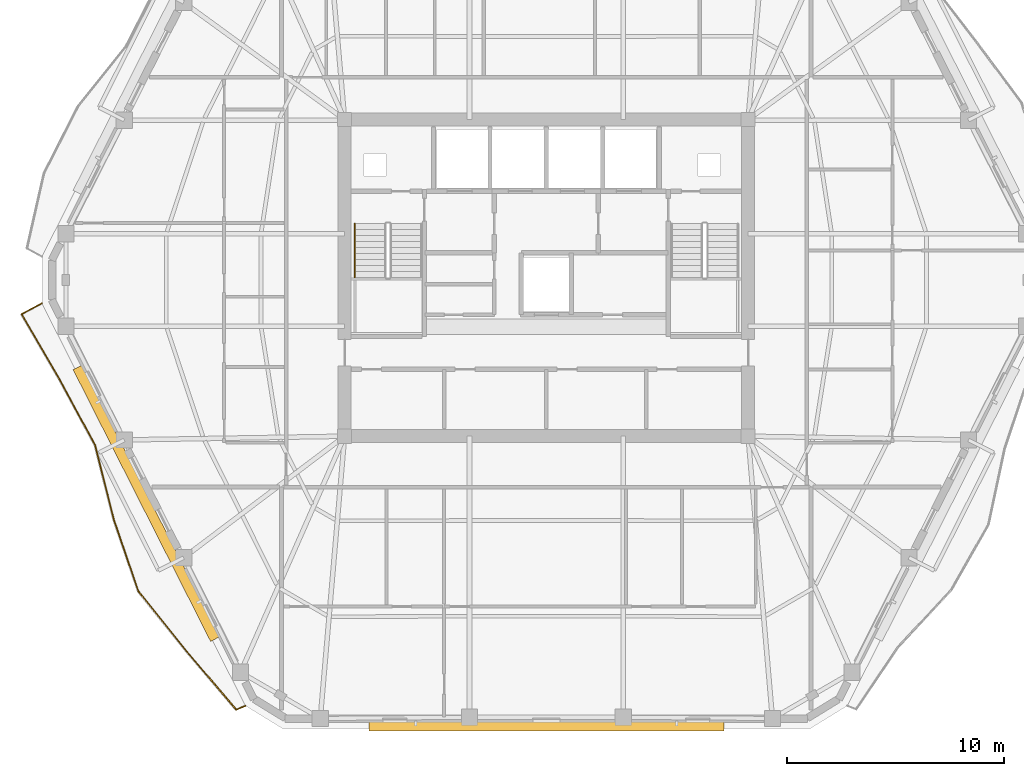
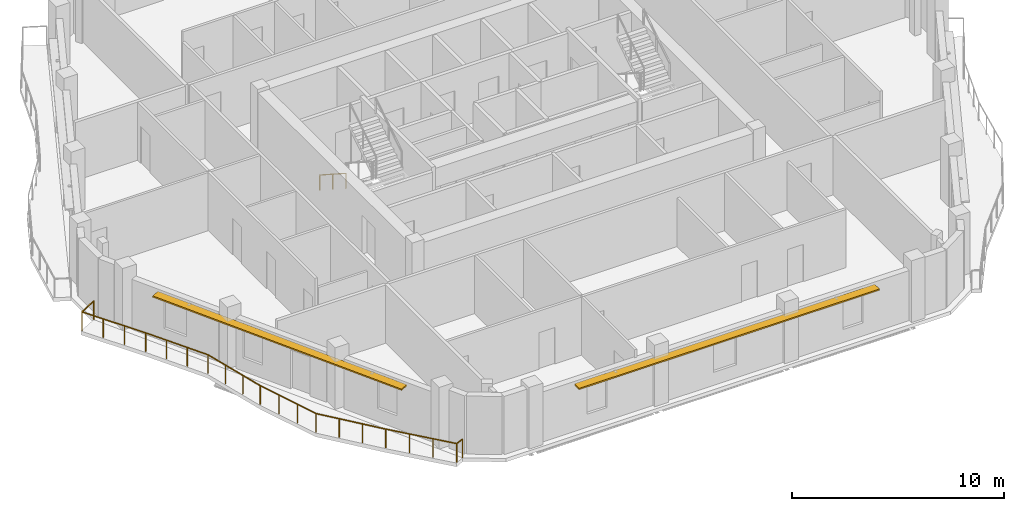
# One storey, part 9 of 12: 2 railings, 2 shading devices.
"""IFC4 building model written with IfcOpenShell, lengths in metres."""

from ifc_helpers import new_model, si_unit, direction, frame, origin, origin_2d, place, context, subcontext, project, spatial, rectangle, extrude, material, layer, layer_set, type_object, element, save


model = new_model("IFC4")

# Units and contexts
model_context = context("Model", 3, precision=1e-05, world=origin(), true_north=direction((0.0, 1.0)))
body_context = subcontext(model_context, "Body", "Model", "MODEL_VIEW")
ifc_project = project(units=[si_unit("LENGTHUNIT", "METRE"), si_unit("AREAUNIT", "SQUARE_METRE"), si_unit("VOLUMEUNIT", "CUBIC_METRE"), si_unit("PLANEANGLEUNIT", "RADIAN"), si_unit("MASSUNIT", "GRAM", prefix="KILO")], contexts=[model_context])

# Site, building, storey
site_placement = place(None, origin())
site = spatial("IfcSite", under=ifc_project, at=site_placement, CompositionType="ELEMENT")
building_placement = place(site_placement, origin())
building = spatial("IfcBuilding", under=site, at=building_placement, Name="Cinnabar Lancet Tower", CompositionType="ELEMENT")
storey_placement = place(building_placement, frame((0.0, 0.0, 210.949951171875)))
storey = spatial("IfcBuildingStorey", under=building, at=storey_placement, Name="L56", CompositionType="ELEMENT", Elevation=210.949951171875)

# Railing
ifc_material_1 = material(Name="Laminated safety glass and bronze stainless steel balustrade", Category="steel")
railing_type_1 = type_object("IfcRailingType", Name="ENV-RLG-BAL-1100", PredefinedType="BALUSTRADE", material=ifc_material_1)
railing_1_placement = place(storey_placement, frame((9.14208984375, 24.72900390625, 0.0)))
element("IfcRailing", 1, at=railing_1_placement, inside=storey, type_object=railing_type_1, Name="L56 Face 6 Wave Balcony Balustrade", PredefinedType="BALUSTRADE", context=body_context, shape_type="SweptSolid", body=[
    extrude(rectangle(XDim=0.048095703125, YDim=0.048095703125, at=origin_2d()), frame((0.0, 0.0, 1.076171875), z_axis=(-0.880515342455, -0.474017649146, 0.0), x_axis=(0.474017649146, -0.880515342455, 0.0)), (0.0, 0.0, 1.0), 1.06298828125),
    extrude(rectangle(XDim=0.048095703125, YDim=0.048095703125, at=origin_2d()), frame((-0.93603515625, -0.50390625, 1.076171875), z_axis=(0.503415230267, -0.864044620338, 0.0), x_axis=(0.864044620338, 0.503415230267, 0.0)), (0.0, 0.0, 1.0), 3.464111328125),
    extrude(rectangle(XDim=0.048095703125, YDim=0.048095703125, at=origin_2d()), frame((0.807861328125, -3.4970703125, 1.076171875), z_axis=(0.476128437984, -0.879375750486, 0.0), x_axis=(0.879375750486, 0.476128437984, 0.0)), (0.0, 0.0, 1.0), 3.45703125),
    extrude(rectangle(XDim=0.048095703125, YDim=0.048095703125, at=origin_2d()), frame((2.453857421875, -6.537109375, 1.076171875), z_axis=(0.243946424384, -0.969788709993, 0.0), x_axis=(0.969788709993, 0.243946424384, 0.0)), (0.0, 0.0, 1.0), 3.541748046875),
    extrude(rectangle(XDim=0.048095703125, YDim=0.048095703125, at=origin_2d()), frame((3.31787109375, -9.971923828125, 1.076171875), z_axis=(0.32440123248, -0.945919573941, 0.0), x_axis=(0.945919573941, 0.32440123248, 0.0)), (0.0, 0.0, 1.0), 3.48974609375),
    extrude(rectangle(XDim=0.048095703125, YDim=0.048095703125, at=origin_2d()), frame((4.449951171875, -13.27294921875, 1.076171875), z_axis=(0.625874287818, -0.77992395517, 0.0), x_axis=(0.77992395517, 0.625874287818, 0.0)), (0.0, 0.0, 1.0), 3.532470703125),
    extrude(rectangle(XDim=0.048095703125, YDim=0.048095703125, at=origin_2d()), frame((6.660888671875, -16.028076171875, 1.076171875), z_axis=(0.648294004928, -0.76139009921, 0.0), x_axis=(0.76139009921, 0.648294004928, 0.0)), (0.0, 0.0, 1.0), 3.555419921875),
    extrude(rectangle(XDim=0.048095703125, YDim=0.048095703125, at=origin_2d()), frame((8.9658203125, -18.735107421875, 1.076171875), z_axis=(0.922206653726, 0.386697411192, 0.0), x_axis=(-0.386697411192, 0.922206653726, 0.0)), (0.0, 0.0, 1.0), 0.457763671875),
    extrude(rectangle(XDim=0.0419921875, YDim=0.0419921875, at=origin_2d()), origin(), (0.0, 0.0, 1.0), 1.052001953125),
    extrude(rectangle(XDim=0.0419921875, YDim=0.0419921875, at=origin_2d()), frame((-0.93603515625, -0.50390625, 0.0)), (0.0, 0.0, 1.0), 1.052001953125),
    extrude(rectangle(XDim=0.0419921875, YDim=0.0419921875, at=origin_2d()), frame((-0.354736328125, -1.501708984375, 0.0)), (0.0, 0.0, 1.0), 1.052001953125),
    extrude(rectangle(XDim=0.0419921875, YDim=0.0419921875, at=origin_2d()), frame((0.2265625, -2.499267578125, 0.0)), (0.0, 0.0, 1.0), 1.052001953125),
    extrude(rectangle(XDim=0.0419921875, YDim=0.0419921875, at=origin_2d()), frame((0.807861328125, -3.4970703125, 0.0)), (0.0, 0.0, 1.0), 1.052001953125),
    extrude(rectangle(XDim=0.0419921875, YDim=0.0419921875, at=origin_2d()), frame((1.3564453125, -4.510498046875, 0.0)), (0.0, 0.0, 1.0), 1.052001953125),
    extrude(rectangle(XDim=0.0419921875, YDim=0.0419921875, at=origin_2d()), frame((1.9052734375, -5.523681640625, 0.0)), (0.0, 0.0, 1.0), 1.052001953125),
    extrude(rectangle(XDim=0.0419921875, YDim=0.0419921875, at=origin_2d()), frame((2.453857421875, -6.537109375, 0.0)), (0.0, 0.0, 1.0), 1.052001953125),
    extrude(rectangle(XDim=0.0419921875, YDim=0.0419921875, at=origin_2d()), frame((2.741943359375, -7.68212890625, 0.0)), (0.0, 0.0, 1.0), 1.052001953125),
    extrude(rectangle(XDim=0.0419921875, YDim=0.0419921875, at=origin_2d()), frame((3.02978515625, -8.826904296875, 0.0)), (0.0, 0.0, 1.0), 1.052001953125),
    extrude(rectangle(XDim=0.0419921875, YDim=0.0419921875, at=origin_2d()), frame((3.31787109375, -9.971923828125, 0.0)), (0.0, 0.0, 1.0), 1.052001953125),
    extrude(rectangle(XDim=0.0419921875, YDim=0.0419921875, at=origin_2d()), frame((3.6953125, -11.072265625, 0.0)), (0.0, 0.0, 1.0), 1.052001953125),
    extrude(rectangle(XDim=0.0419921875, YDim=0.0419921875, at=origin_2d()), frame((4.072509765625, -12.172607421875, 0.0)), (0.0, 0.0, 1.0), 1.052001953125),
    extrude(rectangle(XDim=0.0419921875, YDim=0.0419921875, at=origin_2d()), frame((4.449951171875, -13.27294921875, 0.0)), (0.0, 0.0, 1.0), 1.052001953125),
    extrude(rectangle(XDim=0.0419921875, YDim=0.0419921875, at=origin_2d()), frame((5.18701171875, -14.19140625, 0.0)), (0.0, 0.0, 1.0), 1.052001953125),
    extrude(rectangle(XDim=0.0419921875, YDim=0.0419921875, at=origin_2d()), frame((5.923828125, -15.109619140625, 0.0)), (0.0, 0.0, 1.0), 1.052001953125),
    extrude(rectangle(XDim=0.0419921875, YDim=0.0419921875, at=origin_2d()), frame((6.660888671875, -16.028076171875, 0.0)), (0.0, 0.0, 1.0), 1.052001953125),
    extrude(rectangle(XDim=0.0419921875, YDim=0.0419921875, at=origin_2d()), frame((7.42919921875, -16.930419921875, 0.0)), (0.0, 0.0, 1.0), 1.052001953125),
    extrude(rectangle(XDim=0.0419921875, YDim=0.0419921875, at=origin_2d()), frame((8.197509765625, -17.832763671875, 0.0)), (0.0, 0.0, 1.0), 1.052001953125),
    extrude(rectangle(XDim=0.0419921875, YDim=0.0419921875, at=origin_2d()), frame((8.9658203125, -18.735107421875, 0.0)), (0.0, 0.0, 1.0), 1.052001953125),
    extrude(rectangle(XDim=0.0419921875, YDim=0.0419921875, at=origin_2d()), frame((9.387939453125, -18.55810546875, 0.0)), (0.0, 0.0, 1.0), 1.052001953125),
])

# Shading devices
ifc_material_2 = material(Name="Pale limestone architectural aluminium sunshade", Category="masonry")
ifc_layer = layer(ifc_material_2, 0.080078125)
ifc_layer_set = layer_set([ifc_layer], Name="Pale limestone architectural aluminium sunshade")
shading_device_type = type_object("IfcShadingDeviceType", Name="ENV-SHD-LVR-450", PredefinedType="JALOUSIE", material=ifc_layer_set)
shading_device_1_placement = place(storey_placement, frame((32.39990234375, 5.22998046875, 2.639892578125), z_axis=(0.0, 0.0, 1.0), x_axis=(1.0, 0.0, 0.0)))
element("IfcShadingDevice", 2, at=shading_device_1_placement, inside=storey, type_object=shading_device_type, Name="L56 Face 1 Horizontal Sunshade Canopy", PredefinedType="JALOUSIE", context=body_context, shape_type="SweptSolid", body=[
    extrude(rectangle(XDim=16.3720703125, YDim=0.449951171875, at=origin_2d()), origin(), (0.0, 0.0, 1.0), 0.080078125),
])
shading_device_2_placement = place(storey_placement, frame((13.9541015625, 15.506103515625, 2.639892578125), z_axis=(0.0, 0.0, 1.0), x_axis=(0.45140713236, -0.892318105193, 0.0)))
element("IfcShadingDevice", 3, at=shading_device_2_placement, inside=storey, type_object=shading_device_type, Name="L56 Face 6 Horizontal Sunshade Canopy", PredefinedType="JALOUSIE", context=body_context, shape_type="SweptSolid", body=[
    extrude(rectangle(XDim=14.034912109375, YDim=0.449951171875, at=origin_2d()), origin(), (0.0, 0.0, 1.0), 0.080078125),
])

# Railing
ifc_material_3 = material(Name="Brushed stainless steel handrail", Category="steel")
railing_type_2 = type_object("IfcRailingType", Name="HANDRAIL-STAIR", PredefinedType="HANDRAIL", material=ifc_material_3)
railing_2_placement = place(storey_placement, frame((23.574951171875, 28.39990234375, 0.177490234375)))
element("IfcRailing", 4, at=railing_2_placement, inside=storey, type_object=railing_type_2, Name="L56 ST-1 stair handrail 1", PredefinedType="HANDRAIL", context=body_context, shape_type="SweptSolid", body=[
    extrude(rectangle(XDim=0.048095703125, YDim=0.048095703125, at=origin_2d()), frame((0.0, 0.0, 0.8759765625), z_axis=(0.0, -0.84014559416, 0.542360932049), x_axis=(1.0, 0.0, 0.0)), (0.0, 0.0, 1.0), 2.94580078125),
    extrude(rectangle(XDim=0.0419921875, YDim=0.0419921875, at=origin_2d()), origin(), (0.0, 0.0, 1.0), 0.851806640625),
    extrude(rectangle(XDim=0.0419921875, YDim=0.0419921875, at=origin_2d()), frame((0.0, -1.2373046875, 0.798828125)), (0.0, 0.0, 1.0), 0.851806640625),
    extrude(rectangle(XDim=0.0419921875, YDim=0.0419921875, at=origin_2d()), frame((0.0, -2.474853515625, 1.59765625)), (0.0, 0.0, 1.0), 0.851806640625),
])

save(model, "model.ifc")
